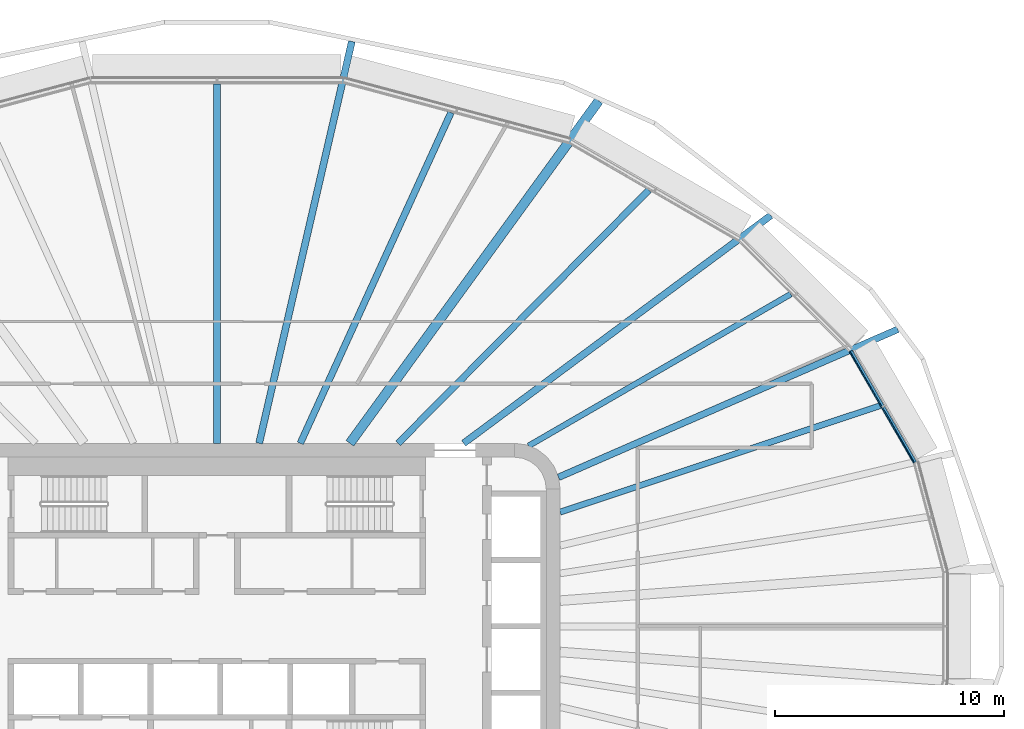
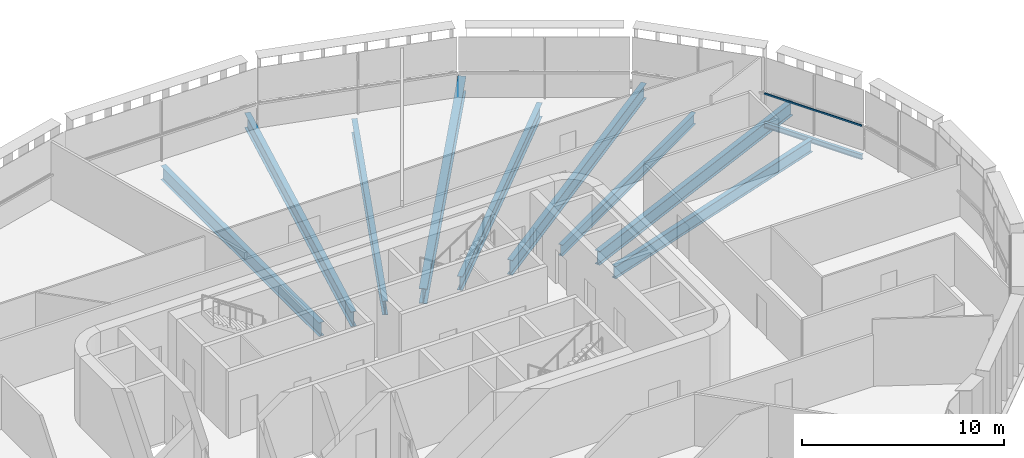
# One storey, part 9 of 25: 10 beams, 1 member, 1 element without a shape of its own.
"""IFC4 building model written with IfcOpenShell, lengths in metres."""

from ifc_helpers import new_model, si_unit, direction, frame, origin, origin_2d, place, context, subcontext, project, spatial, rectangle, i_section, extrude, material, layer, layer_set, material_profile, profile_set, type_object, element, aggregate, save


model = new_model("IFC4")

# Units and contexts
model_context = context("Model", 3, precision=1e-05, world=origin(), true_north=direction((0.0, 1.0)))
body_context = subcontext(model_context, "Body", "Model", "MODEL_VIEW")
ifc_project = project(units=[si_unit("LENGTHUNIT", "METRE"), si_unit("AREAUNIT", "SQUARE_METRE"), si_unit("VOLUMEUNIT", "CUBIC_METRE"), si_unit("PLANEANGLEUNIT", "RADIAN"), si_unit("MASSUNIT", "GRAM", prefix="KILO")], contexts=[model_context])

# Site, building, storey
site_placement = place(None, origin())
site = spatial("IfcSite", under=ifc_project, at=site_placement, CompositionType="ELEMENT")
building_placement = place(site_placement, origin())
building = spatial("IfcBuilding", under=site, at=building_placement, Name="Sahrelin Media Tower", CompositionType="ELEMENT")
storey_placement = place(building_placement, frame((0.0, 0.0, 110.39990234375)))
storey = spatial("IfcBuildingStorey", under=building, at=storey_placement, Name="L21", CompositionType="ELEMENT", Elevation=110.39990234375)

# Beams
ifc_material_1 = material(Name="Steel S355", Category="steel")
ifc_material_profile_1 = material_profile(ifc_material_1, i_section(OverallWidth=0.1650390625, OverallDepth=0.303466796875, WebThickness=0.006103515625, FlangeThickness=0.01025390625, FilletRadius=0.0087890625, at=origin_2d()), Name="UB 305x165x40")
ifc_profile_set_1 = profile_set([ifc_material_profile_1], Name="Steel S355")
beam_type_1 = type_object("IfcBeamType", Name="Edge beam EB2", PredefinedType="BEAM", material=ifc_profile_set_1)
beam_1_placement = place(storey_placement, frame((27.698486328125, 12.025634765625, -0.301513671875), z_axis=(0.500017404508, -0.866015355054, 0.0), x_axis=(0.866015355054, 0.500017404508, 0.0)))
element("IfcBeam", 1, at=beam_1_placement, inside=storey, type_object=beam_type_1, Name="Edge beam L21-23", PredefinedType="BEAM", context=body_context, shape_type="SweptSolid", body=[
    extrude(i_section(OverallWidth=0.1650390625, OverallDepth=0.303466796875, WebThickness=0.006103515625, FlangeThickness=0.01025390625, FilletRadius=0.0087890625, at=origin_2d()), origin(), (0.0, 0.0, 1.0), 5.612548828125),
])
ifc_material_profile_2 = material_profile(ifc_material_1, i_section(OverallWidth=0.291748046875, OverallDepth=0.8349609375, WebThickness=0.013916015625, FlangeThickness=0.018798828125, FilletRadius=0.017822265625, at=origin_2d()), Name="UB 838x292x176")
ifc_profile_set_2 = profile_set([ifc_material_profile_2], Name="Steel S355")
beam_type_2 = type_object("IfcBeamType", Name="Radial primary beam PB10", PredefinedType="BEAM", material=ifc_profile_set_2)
beam_2_placement = place(storey_placement, frame((14.9326171875, 6.512939453125, -0.5673828125), z_axis=(0.91660394376, 0.39979646107, 0.0), x_axis=(-0.39979646107, 0.91660394376, 0.0)))
element("IfcBeam", 2, at=beam_2_placement, inside=storey, type_object=beam_type_2, Name="Radial beam L21-03", PredefinedType="BEAM", context=body_context, shape_type="SweptSolid", body=[
    extrude(i_section(OverallWidth=0.291748046875, OverallDepth=0.8349609375, WebThickness=0.013916015625, FlangeThickness=0.018798828125, FilletRadius=0.017822265625, at=origin_2d()), origin(), (0.0, 0.0, 1.0), 16.176513671875),
])
ifc_material_profile_3 = material_profile(ifc_material_1, i_section(OverallWidth=0.30322265625, OverallDepth=0.903076171875, WebThickness=0.01513671875, FlangeThickness=0.020263671875, FilletRadius=0.01904296875, at=origin_2d()), Name="UB 914x305x201")
ifc_profile_set_3 = profile_set([ifc_material_profile_3], Name="Steel S355")
beam_type_3 = type_object("IfcBeamType", Name="Radial primary beam PB11", PredefinedType="BEAM", material=ifc_profile_set_3)
beam_3_placement = place(storey_placement, frame((10.78466796875, 8.0, -0.601318359375), z_axis=(0.803152128679, 0.595773999263, 0.0), x_axis=(-0.595773999263, 0.803152128679, 0.0)))
element("IfcBeam", 3, at=beam_3_placement, inside=storey, type_object=beam_type_3, Name="Radial beam L21-04", PredefinedType="BEAM", context=body_context, shape_type="SweptSolid", body=[
    extrude(i_section(OverallWidth=0.30322265625, OverallDepth=0.903076171875, WebThickness=0.01513671875, FlangeThickness=0.020263671875, FilletRadius=0.01904296875, at=origin_2d()), origin(), (0.0, 0.0, 1.0), 16.71728515625),
])
beam_4_placement = place(storey_placement, frame((1.845458984375, 8.0, -0.601318359375), z_axis=(0.224769488675, 0.974411964705, 0.0), x_axis=(-0.974411964705, 0.224769488675, 0.0)))
element("IfcBeam", 4, at=beam_4_placement, inside=storey, type_object=beam_type_3, Name="Radial beam L21-06", PredefinedType="BEAM", context=body_context, shape_type="SweptSolid", body=[
    extrude(i_section(OverallWidth=0.30322265625, OverallDepth=0.903076171875, WebThickness=0.01513671875, FlangeThickness=0.020263671875, FilletRadius=0.01904296875, at=origin_2d()), origin(), (0.0, 0.0, 1.0), 18.025146484375),
])
ifc_material_profile_4 = material_profile(ifc_material_1, i_section(OverallWidth=0.41845703125, OverallDepth=0.911865234375, WebThickness=0.019287109375, FlangeThickness=0.031982421875, FilletRadius=0.024169921875, at=origin_2d()), Name="UB 914x419x343")
ifc_profile_set_4 = profile_set([ifc_material_profile_4], Name="Steel S355")
beam_type_4 = type_object("IfcBeamType", Name="Radial primary beam PB12", PredefinedType="BEAM", material=ifc_profile_set_4)
beam_5_placement = place(storey_placement, frame((5.8125, 8.0, -0.605712890625), z_axis=(0.587808442144, 0.809000145454, 0.0), x_axis=(-0.809000145454, 0.587808442144, 0.0)))
element("IfcBeam", 5, at=beam_5_placement, inside=storey, type_object=beam_type_4, Name="Radial beam L21-05", PredefinedType="BEAM", context=body_context, shape_type="SweptSolid", body=[
    extrude(i_section(OverallWidth=0.41845703125, OverallDepth=0.911865234375, WebThickness=0.019287109375, FlangeThickness=0.031982421875, FilletRadius=0.024169921875, at=origin_2d()), origin(), (0.0, 0.0, 1.0), 18.505615234375),
])
ifc_material_profile_5 = material_profile(ifc_material_1, i_section(OverallWidth=0.291748046875, OverallDepth=0.8349609375, WebThickness=0.013916015625, FlangeThickness=0.018798828125, FilletRadius=0.017822265625, at=origin_2d()), Name="UB 838x292x176")
ifc_profile_set_5 = profile_set([ifc_material_profile_5], Name="Steel S355")
beam_type_5 = type_object("IfcBeamType", Name="Radial secondary beam SB10", PredefinedType="BEAM", material=ifc_profile_set_5)
beam_6_placement = place(storey_placement, frame((7.92138671875, 8.0, -0.5673828125), z_axis=(0.703602310212, 0.7105939692, 0.0), x_axis=(-0.7105939692, 0.703602310212, 0.0)))
element("IfcBeam", 6, at=beam_6_placement, inside=storey, type_object=beam_type_5, Name="Secondary beam L21-04", PredefinedType="BEAM", context=body_context, shape_type="SweptSolid", body=[
    extrude(i_section(OverallWidth=0.291748046875, OverallDepth=0.8349609375, WebThickness=0.013916015625, FlangeThickness=0.018798828125, FilletRadius=0.017822265625, at=origin_2d()), origin(), (0.0, 0.0, 1.0), 15.57373046875),
])
beam_7_placement = place(storey_placement, frame((3.64501953125, 8.0, -0.5673828125), z_axis=(0.414626132753, 0.909991851633, 0.0), x_axis=(-0.909991851633, 0.414626132753, 0.0)))
element("IfcBeam", 7, at=beam_7_placement, inside=storey, type_object=beam_type_5, Name="Secondary beam L21-05", PredefinedType="BEAM", context=body_context, shape_type="SweptSolid", body=[
    extrude(i_section(OverallWidth=0.291748046875, OverallDepth=0.8349609375, WebThickness=0.013916015625, FlangeThickness=0.018798828125, FilletRadius=0.017822265625, at=origin_2d()), origin(), (0.0, 0.0, 1.0), 15.884033203125),
])
beam_8_placement = place(storey_placement, frame((0.0, 8.0, -0.5673828125), z_axis=(0.0, 1.0, 0.0), x_axis=(-1.0, 0.0, 0.0)))
element("IfcBeam", 8, at=beam_8_placement, inside=storey, type_object=beam_type_5, Name="Secondary beam L21-06", PredefinedType="BEAM", context=body_context, shape_type="SweptSolid", body=[
    extrude(i_section(OverallWidth=0.291748046875, OverallDepth=0.8349609375, WebThickness=0.013916015625, FlangeThickness=0.018798828125, FilletRadius=0.017822265625, at=origin_2d()), origin(), (0.0, 0.0, 1.0), 15.71337890625),
])
ifc_material_profile_6 = material_profile(ifc_material_1, i_section(OverallWidth=0.2529296875, OverallDepth=0.677978515625, WebThickness=0.01171875, FlangeThickness=0.01611328125, FilletRadius=0.01513671875, at=origin_2d()), Name="UB 686x254x125")
ifc_profile_set_6 = profile_set([ifc_material_profile_6], Name="Steel S355")
beam_type_6 = type_object("IfcBeamType", Name="Radial secondary beam SB8", PredefinedType="BEAM", material=ifc_profile_set_6)
beam_9_placement = place(storey_placement, frame((13.625, 7.887451171875, -0.48876953125), z_axis=(0.865447741605, 0.500999208134, 0.0), x_axis=(-0.500999208134, 0.865447741605, 0.0)))
element("IfcBeam", 9, at=beam_9_placement, inside=storey, type_object=beam_type_6, Name="Secondary beam L21-03", PredefinedType="BEAM", context=body_context, shape_type="SweptSolid", body=[
    extrude(i_section(OverallWidth=0.2529296875, OverallDepth=0.677978515625, WebThickness=0.01171875, FlangeThickness=0.01611328125, FilletRadius=0.01513671875, at=origin_2d()), origin(), (0.0, 0.0, 1.0), 13.2431640625),
])
ifc_material_profile_7 = material_profile(ifc_material_1, i_section(OverallWidth=0.26513671875, OverallDepth=0.75390625, WebThickness=0.0126953125, FlangeThickness=0.017578125, FilletRadius=0.0166015625, at=origin_2d()), Name="UB 762x267x147")
ifc_profile_set_7 = profile_set([ifc_material_profile_7], Name="Steel S355")
beam_type_7 = type_object("IfcBeamType", Name="Radial secondary beam SB9", PredefinedType="BEAM", material=ifc_profile_set_7)
beam_10_placement = place(storey_placement, frame((15.0, 4.989990234375, -0.52685546875), z_axis=(0.948863762476, 0.31568585692, 0.0), x_axis=(-0.31568585692, 0.948863762476, 0.0)))
element("IfcBeam", 10, at=beam_10_placement, inside=storey, type_object=beam_type_7, Name="Secondary beam L21-02", PredefinedType="BEAM", context=body_context, shape_type="SweptSolid", body=[
    extrude(i_section(OverallWidth=0.26513671875, OverallDepth=0.75390625, WebThickness=0.0126953125, FlangeThickness=0.017578125, FilletRadius=0.0166015625, at=origin_2d()), origin(), (0.0, 0.0, 1.0), 14.7333984375),
])

# Curtain wall, member
ifc_material_2 = material(Name="Champagne anodised aluminium 6063-T6", Category="aluminium")
ifc_layer = layer(ifc_material_2, 0.14990234375)
ifc_layer_set = layer_set([ifc_layer], Name="Tower ribbon curtain wall")
curtain_wall_type = type_object("IfcCurtainWallType", Name="Tower ribbon curtain wall", PredefinedType="NOTDEFINED", material=ifc_layer_set)
curtain_wall_placement = place(storey_placement, frame((29.231689453125, 9.67041015625, 0.0), z_axis=(0.0, 0.0, 1.0), x_axis=(1.0, 0.0, 0.0)))
curtain_wall = element("IfcCurtainWall", 11, at=curtain_wall_placement, inside=storey, type_object=curtain_wall_type, Name="L21:CW:L21-02", PredefinedType="NOTDEFINED")
ifc_material_profile_8 = material_profile(ifc_material_2, rectangle(XDim=0.050048828125, YDim=0.10009765625, at=origin_2d()), Name="Transom 50x100")
ifc_profile_set_8 = profile_set([ifc_material_profile_8], Name="Champagne anodised aluminium 6063-T6")
member_type = type_object("IfcMemberType", Name="Transom 50x100 CW1", PredefinedType="USERDEFINED", material=ifc_profile_set_8)
member_placement = place(storey_placement, frame((30.4580078125, 7.156005859375, 1.60009765625), z_axis=(-0.499987512418, 0.866032613373, 0.0), x_axis=(-0.866032613373, -0.499987512418, 0.0)))
member = element("IfcMember", 12, at=member_placement, type_object=member_type, Name="L21:CWT:L21-02", ObjectType="TRANSOM", PredefinedType="USERDEFINED", context=body_context, shape_type="SweptSolid", body=[
    extrude(rectangle(XDim=0.050048828125, YDim=0.10009765625, at=origin_2d()), origin(), (0.0, 0.0, 1.0), 5.581298828125),
])
aggregate(curtain_wall, [member])

save(model, "model.ifc")
